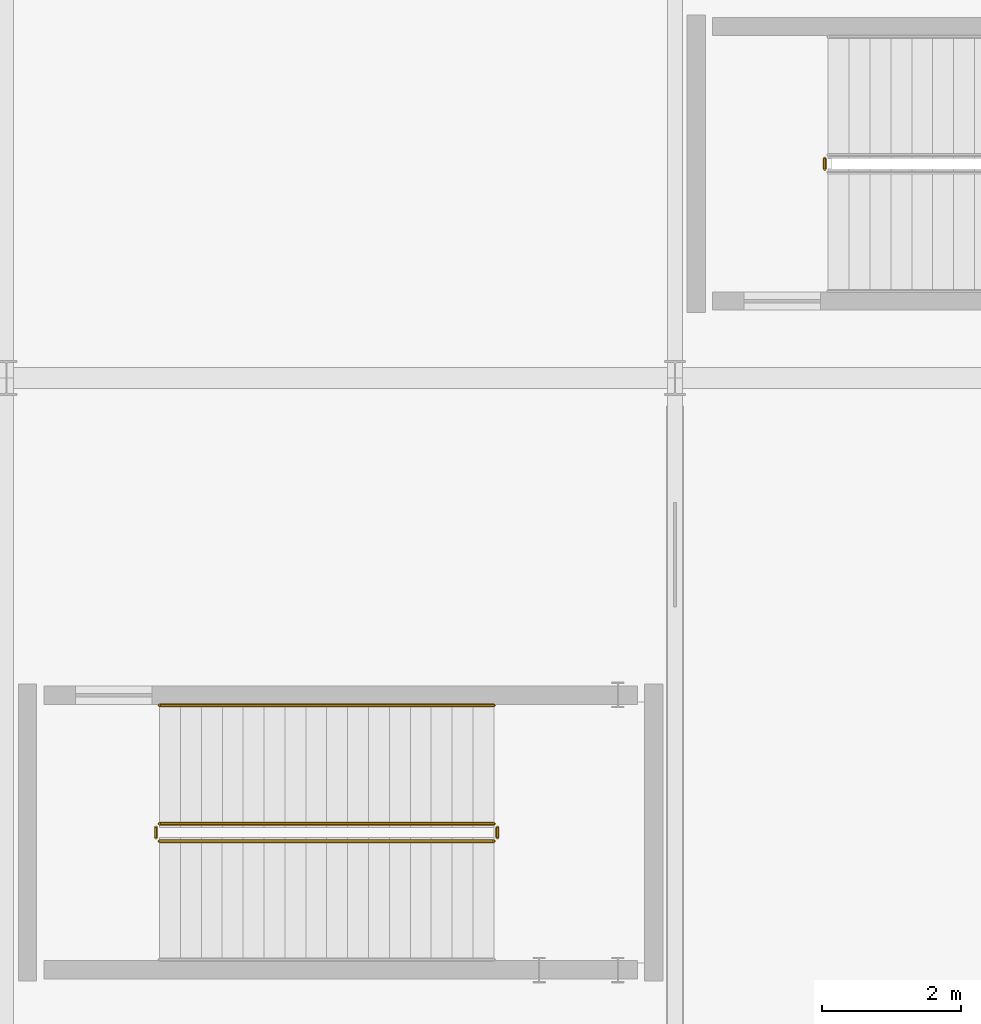
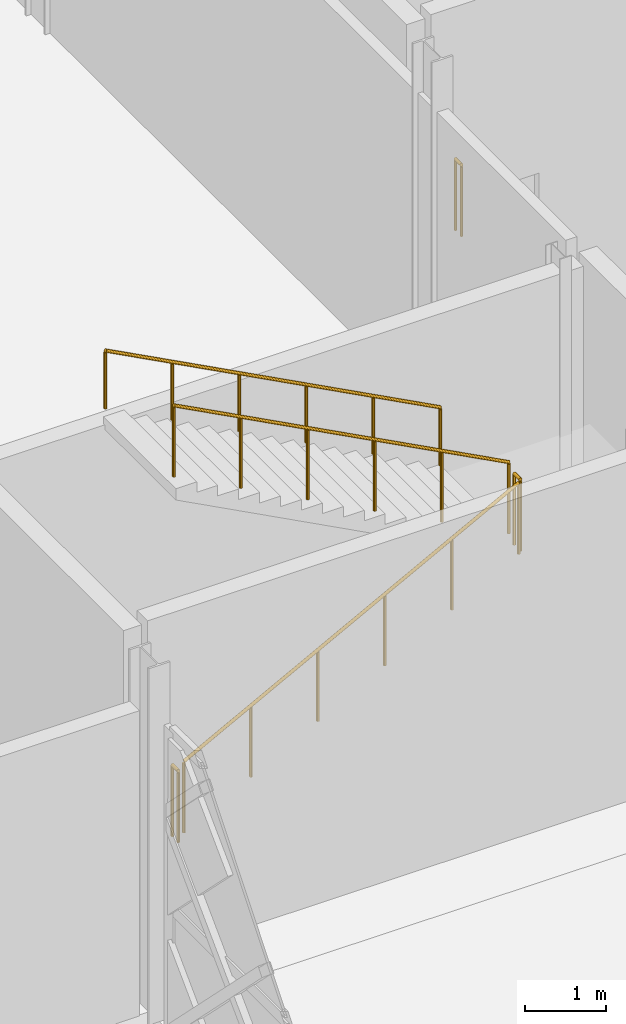
# One storey, part 74 of 84: 6 railings.
"""IFC4 building model written with IfcOpenShell, lengths in metres."""

import ifcopenshell
import ifcopenshell.guid

model = None  # the IFC model being written
_history = None  # IfcOwnerHistory: only IFC2X3 demands one
_inside = {}  # id of a spatial element -> (the spatial element, [elements in it])
_under = {}  # id of a project, library or spatial element -> (it, [spatial elements below it])
_declared = {}  # id of a project -> (the project, [libraries it declares])
_typed = {}  # id of a type object -> (the type object, [elements of that type])
_made_of = {}  # id of a material, layer set ... -> (it, [elements and type objects made of it])


def new_model(schema):
    """Start an empty IFC model of exactly this schema.

    Asked for "IFC4X3", IfcOpenShell would pick the latest addendum, in which some entities
    have other attributes; the version numbers below select the first issue.
    IFC2X3 requires an IfcOwnerHistory on every rooted entity: one is made here for all.
    """
    global model, _history
    if schema == "IFC4X3":
        model = ifcopenshell.file(schema_version=(4, 3, 0, 0))
    else:
        model = ifcopenshell.file(schema=schema)
    _inside.clear()
    _under.clear()
    _declared.clear()
    _typed.clear()
    _made_of.clear()
    _history = None
    if model.schema == "IFC2X3":
        org = make("IfcOrganization", Name="unknown")
        user = make(
            "IfcPersonAndOrganization",
            ThePerson=make("IfcPerson", FamilyName="unknown"),
            TheOrganization=org,
        )
        app = make(
            "IfcApplication",
            ApplicationDeveloper=org,
            Version="unknown",
            ApplicationFullName="unknown",
            ApplicationIdentifier="unknown",
        )
        _history = make(
            "IfcOwnerHistory",
            OwningUser=user,
            OwningApplication=app,
            ChangeAction="ADDED",
            CreationDate=0,
        )
    return model


def make(cls, **values):
    """One entity of the class cls with the attributes given. An attribute that is None is left unset."""
    return model.create_entity(
        cls, **{name: value for name, value in values.items() if value is not None}
    )


def rooted(cls, **values):
    """An entity with a GlobalId (a new one), such as an element, a storey or a relation."""
    return make(cls, GlobalId=ifcopenshell.guid.new(), OwnerHistory=_history, **values)


def si_unit(unit_type, name, prefix=None):
    """IfcSIUnit, for example si_unit("LENGTHUNIT", "METRE", prefix="MILLI")."""
    return make("IfcSIUnit", UnitType=unit_type, Prefix=prefix, Name=name)


def assignment(units):
    """IfcUnitAssignment: the units of a project."""
    return None if units is None else make("IfcUnitAssignment", Units=units)


def point(xyz):
    """IfcCartesianPoint."""
    return None if xyz is None else make("IfcCartesianPoint", Coordinates=xyz)


def direction(xyz):
    """IfcDirection."""
    return None if xyz is None else make("IfcDirection", DirectionRatios=xyz)


def frame(location, z_axis=None, x_axis=None):
    """IfcAxis2Placement3D, a coordinate frame: its origin and axes. An axis left out is left unset."""
    return make(
        "IfcAxis2Placement3D",
        Location=point(location),
        Axis=direction(z_axis),
        RefDirection=direction(x_axis),
    )


def frame_2d(location, x_axis=None):
    """IfcAxis2Placement2D, a coordinate frame in the plane: its origin and x axis."""
    return make(
        "IfcAxis2Placement2D", Location=point(location), RefDirection=direction(x_axis)
    )


def origin():
    """The frame at (0, 0, 0) with its axes left unset."""
    return frame((0.0, 0.0, 0.0))


def origin_2d():
    """The frame at (0, 0) in the plane with its x axis left unset."""
    return frame_2d((0.0, 0.0))


def place(relative_to, where):
    """IfcLocalPlacement: puts the frame where relative to a parent placement (None: the world)."""
    return make(
        "IfcLocalPlacement", PlacementRelTo=relative_to, RelativePlacement=where
    )


def context(
    kind, dimensions, precision=None, world=None, true_north=None, identifier=None
):
    """IfcGeometricRepresentationContext, for example the 3D "Model" context."""
    return make(
        "IfcGeometricRepresentationContext",
        ContextIdentifier=identifier,
        ContextType=kind,
        CoordinateSpaceDimension=dimensions,
        Precision=precision,
        WorldCoordinateSystem=world,
        TrueNorth=true_north,
    )


def subcontext(parent, identifier, kind, view, scale=None):
    """IfcGeometricRepresentationSubContext, for example "Body" below "Model"."""
    return make(
        "IfcGeometricRepresentationSubContext",
        ContextIdentifier=identifier,
        ContextType=kind,
        ParentContext=parent,
        TargetScale=scale,
        TargetView=view,
    )


def project(units=None, contexts=None):
    """IfcProject with its units and contexts."""
    return rooted(
        "IfcProject",
        Name="project",
        RepresentationContexts=contexts,
        UnitsInContext=assignment(units),
    )


def spatial(cls, under=None, at=None, **own):
    """A site, building, storey or space (cls), placed at a placement, below another one or the project."""
    s = rooted(cls, ObjectPlacement=at, **own)
    if under is not None:
        _under.setdefault(under.id(), (under, []))[1].append(s)
    return s


def profile(cls, at=None, kind="AREA", **sizes):
    """A parametric profile (cls). Its sizes go by their IFC names, for example OverallWidth=200.0."""
    return make(cls, ProfileType=kind, Position=at, **sizes)


def circle(**sizes):
    """IfcCircleProfileDef."""
    return profile("IfcCircleProfileDef", **sizes)


def extrude(swept, where, along, depth):
    """IfcExtrudedAreaSolid: the profile swept, set in the frame where, extruded along a direction by depth."""
    return make(
        "IfcExtrudedAreaSolid",
        SweptArea=swept,
        Position=where,
        ExtrudedDirection=direction(along),
        Depth=depth,
    )


def shape(context_of_items, identifier, shape_type, items):
    """IfcShapeRepresentation: the items that make up one representation, for example the "Body"."""
    return make(
        "IfcShapeRepresentation",
        ContextOfItems=context_of_items,
        RepresentationIdentifier=identifier,
        RepresentationType=shape_type,
        Items=items,
    )


def material(Name=None, Category=None):
    """IfcMaterial."""
    return make("IfcMaterial", Name=Name, Category=Category)


def made_of(thing, what):
    """Note that an element or type object is made of a material, layer set ...; save() writes the relation."""
    if what is not None:
        _made_of.setdefault(what.id(), (what, []))[1].append(thing)
    return thing


def type_object(cls, material=None, **own):
    """A type object (cls), such as IfcWallType, which elements share."""
    return made_of(rooted(cls, **own), material)


def element(
    cls,
    number,
    at=None,
    inside=None,
    cuts=None,
    type_object=None,
    material=None,
    context=None,
    identifier="Body",
    shape_type=None,
    held_by="IfcProductDefinitionShape",
    body=None,
    shapes=None,
    **own,
):
    """One element of the class cls, such as IfcWall. Its Tag is "e" and its number.

    at: its placement. inside: the storey or other place that contains it. cuts: it is an
    opening in that element (IfcRelVoidsElement). A single representation is given by context,
    identifier, shape_type and body (its items); several are given by shapes. held_by: the class
    of the entity that holds the representations. save() writes the other relations.
    """
    e = rooted(cls, Tag="e%d" % number, ObjectPlacement=at, **own)
    if body is not None:
        shapes = [shape(context, identifier, shape_type, body)]
    if shapes is not None:
        e.Representation = make(held_by, Representations=shapes)
    if inside is not None:
        _inside.setdefault(inside.id(), (inside, []))[1].append(e)
    if cuts is not None:
        rooted(
            "IfcRelVoidsElement", RelatingBuildingElement=cuts, RelatedOpeningElement=e
        )
    if type_object is not None:
        _typed.setdefault(type_object.id(), (type_object, []))[1].append(e)
    return made_of(e, material)


def aggregate(whole, parts):
    """IfcRelAggregates: a whole, such as a stair, and the parts it consists of."""
    return rooted("IfcRelAggregates", RelatingObject=whole, RelatedObjects=parts)


def save(model, path):
    """Write the relations noted so far, then the file.

    IfcRelAggregates (storeys below a building ...), IfcRelContainedInSpatialStructure (elements
    in a storey), IfcRelDefinesByType, IfcRelAssociatesMaterial and IfcRelDeclares: one each for
    every whole, place, type object, material and project.
    """
    for whole, parts in _under.values():
        aggregate(whole, parts)
    for where, things in _inside.values():
        rooted(
            "IfcRelContainedInSpatialStructure",
            RelatedElements=things,
            RelatingStructure=where,
        )
    for kind, things in _typed.values():
        rooted("IfcRelDefinesByType", RelatedObjects=things, RelatingType=kind)
    for what, things in _made_of.values():
        rooted("IfcRelAssociatesMaterial", RelatedObjects=things, RelatingMaterial=what)
    for by, libraries in _declared.values():
        rooted("IfcRelDeclares", RelatingContext=by, RelatedDefinitions=libraries)
    model.write(path)


model = new_model("IFC4")

# Units and contexts
model_context = context("Model", 3, precision=1e-05, world=origin(), true_north=direction((0.0, 1.0)))
body_context = subcontext(model_context, "Body", "Model", "MODEL_VIEW")
ifc_project = project(units=[si_unit("LENGTHUNIT", "METRE"), si_unit("AREAUNIT", "SQUARE_METRE"), si_unit("VOLUMEUNIT", "CUBIC_METRE"), si_unit("PLANEANGLEUNIT", "RADIAN"), si_unit("MASSUNIT", "GRAM", prefix="KILO")], contexts=[model_context])

# Site, building, storey
site_placement = place(None, origin())
site = spatial("IfcSite", under=ifc_project, at=site_placement, CompositionType="ELEMENT")
building_placement = place(site_placement, origin())
building = spatial("IfcBuilding", under=site, at=building_placement, Name="Zevrakil Square Congress Hotel", CompositionType="ELEMENT")
storey_placement = place(building_placement, origin())
storey = spatial("IfcBuildingStorey", under=building, at=storey_placement, Name="L01", CompositionType="ELEMENT", Elevation=0.0)

# Railings
ifc_material_1 = material(Name="Steel S355", Category="steel")
railing_type_1 = type_object("IfcRailingType", Name="RLG-STAIR-GUARD-1100", PredefinedType="BALUSTRADE", material=ifc_material_1)
railing_1_placement = place(storey_placement, frame((57.35009765625, 87.0, 0.0)))
element("IfcRailing", 1, at=railing_1_placement, inside=storey, type_object=railing_type_1, Name="L01 ST05 stair guard 4", PredefinedType="BALUSTRADE", context=body_context, shape_type="SweptSolid", body=[
    extrude(circle(Radius=0.02392578125, at=origin_2d()), frame((0.0, 0.0, 1.076171875), z_axis=(0.0, 1.0, 0.0), x_axis=(-1.0, 0.0, 0.0)), (0.0, 0.0, 1.0), 0.14990234375),
    extrude(circle(Radius=0.02099609375, at=origin_2d()), origin(), (0.0, 0.0, 1.0), 1.052001953125),
    extrude(circle(Radius=0.02099609375, at=origin_2d()), frame((0.0, 0.14990234375, 0.0)), (0.0, 0.0, 1.0), 1.052001953125),
])
railing_2_placement = place(storey_placement, frame((47.800048828125, 77.35009765625, 0.158935546875)))
element("IfcRailing", 2, at=railing_2_placement, inside=storey, type_object=railing_type_1, Name="L01 ST14 stair guard 1", PredefinedType="BALUSTRADE", context=body_context, shape_type="SweptSolid", body=[
    extrude(circle(Radius=0.02392578125, at=origin_2d()), frame((0.0, 0.0, 1.076171875), z_axis=(0.883802130504, 0.0, 0.467860870469), x_axis=(0.0, 1.0, 0.0)), (0.0, 0.0, 1.0), 5.43115234375),
    extrude(circle(Radius=0.02099609375, at=origin_2d()), origin(), (0.0, 0.0, 1.0), 1.052001953125),
    extrude(circle(Radius=0.02099609375, at=origin_2d()), frame((0.9599609375, 0.0, 0.50830078125)), (0.0, 0.0, 1.0), 1.052001953125),
    extrude(circle(Radius=0.02099609375, at=origin_2d()), frame((1.919921875, 0.0, 1.016357421875)), (0.0, 0.0, 1.0), 1.052001953125),
    extrude(circle(Radius=0.02099609375, at=origin_2d()), frame((2.880126953125, 0.0, 1.524658203125)), (0.0, 0.0, 1.0), 1.052001953125),
    extrude(circle(Radius=0.02099609375, at=origin_2d()), frame((3.840087890625, 0.0, 2.03271484375)), (0.0, 0.0, 1.0), 1.052001953125),
    extrude(circle(Radius=0.02099609375, at=origin_2d()), frame((4.800048828125, 0.0, 2.541015625)), (0.0, 0.0, 1.0), 1.052001953125),
])
railing_3_placement = place(storey_placement, frame((52.64990234375, 77.39990234375, 2.699951171875)))
element("IfcRailing", 3, at=railing_3_placement, inside=storey, type_object=railing_type_1, Name="L01 ST14 stair guard 2", PredefinedType="BALUSTRADE", context=body_context, shape_type="SweptSolid", body=[
    extrude(circle(Radius=0.02392578125, at=origin_2d()), frame((0.0, 0.0, 1.076171875), z_axis=(0.0, 1.0, 0.0), x_axis=(-1.0, 0.0, 0.0)), (0.0, 0.0, 1.0), 0.150146484375),
    extrude(circle(Radius=0.02099609375, at=origin_2d()), origin(), (0.0, 0.0, 1.0), 1.052001953125),
    extrude(circle(Radius=0.02099609375, at=origin_2d()), frame((0.0, 0.150146484375, 0.0)), (0.0, 0.0, 1.0), 1.052001953125),
])
railing_4_placement = place(storey_placement, frame((52.60009765625, 77.60009765625, 2.85888671875)))
element("IfcRailing", 4, at=railing_4_placement, inside=storey, type_object=railing_type_1, Name="L01 ST14 stair guard 3", PredefinedType="BALUSTRADE", context=body_context, shape_type="SweptSolid", body=[
    extrude(circle(Radius=0.02392578125, at=origin_2d()), frame((0.0, 0.0, 1.076171875), z_axis=(-0.883802130504, 0.0, 0.467860870469), x_axis=(0.0, -1.0, 0.0)), (0.0, 0.0, 1.0), 5.43115234375),
    extrude(circle(Radius=0.02099609375, at=origin_2d()), origin(), (0.0, 0.0, 1.0), 1.052001953125),
    extrude(circle(Radius=0.02099609375, at=origin_2d()), frame((-0.9599609375, 0.0, 0.50830078125)), (0.0, 0.0, 1.0), 1.052001953125),
    extrude(circle(Radius=0.02099609375, at=origin_2d()), frame((-1.919921875, 0.0, 1.016357421875)), (0.0, 0.0, 1.0), 1.052001953125),
    extrude(circle(Radius=0.02099609375, at=origin_2d()), frame((-2.880126953125, 0.0, 1.524658203125)), (0.0, 0.0, 1.0), 1.052001953125),
    extrude(circle(Radius=0.02099609375, at=origin_2d()), frame((-3.840087890625, 0.0, 2.03271484375)), (0.0, 0.0, 1.0), 1.052001953125),
    extrude(circle(Radius=0.02099609375, at=origin_2d()), frame((-4.800048828125, 0.0, 2.541015625)), (0.0, 0.0, 1.0), 1.052001953125),
])
railing_5_placement = place(storey_placement, frame((47.75, 77.39990234375, 0.0)))
element("IfcRailing", 5, at=railing_5_placement, inside=storey, type_object=railing_type_1, Name="L01 ST14 stair guard 4", PredefinedType="BALUSTRADE", context=body_context, shape_type="SweptSolid", body=[
    extrude(circle(Radius=0.02392578125, at=origin_2d()), frame((0.0, 0.0, 1.076171875), z_axis=(0.0, 1.0, 0.0), x_axis=(-1.0, 0.0, 0.0)), (0.0, 0.0, 1.0), 0.150146484375),
    extrude(circle(Radius=0.02099609375, at=origin_2d()), origin(), (0.0, 0.0, 1.0), 1.052001953125),
    extrude(circle(Radius=0.02099609375, at=origin_2d()), frame((0.0, 0.150146484375, 0.0)), (0.0, 0.0, 1.0), 1.052001953125),
])
ifc_material_2 = material(Name="Steel S355", Category="steel")
railing_type_2 = type_object("IfcRailingType", Name="RLG-STAIR-HAND-900", PredefinedType="HANDRAIL", material=ifc_material_2)
railing_6_placement = place(storey_placement, frame((52.60009765625, 79.300048828125, 2.85888671875)))
element("IfcRailing", 6, at=railing_6_placement, inside=storey, type_object=railing_type_2, Name="L01 ST14 stair handrail 2", PredefinedType="HANDRAIL", context=body_context, shape_type="SweptSolid", body=[
    extrude(circle(Radius=0.02392578125, at=origin_2d()), frame((0.0, 0.0, 0.8759765625), z_axis=(-0.883802130504, 0.0, 0.467860870469), x_axis=(0.0, -1.0, 0.0)), (0.0, 0.0, 1.0), 5.43115234375),
    extrude(circle(Radius=0.02099609375, at=origin_2d()), origin(), (0.0, 0.0, 1.0), 0.851806640625),
    extrude(circle(Radius=0.02099609375, at=origin_2d()), frame((-0.9599609375, 0.0, 0.50830078125)), (0.0, 0.0, 1.0), 0.851806640625),
    extrude(circle(Radius=0.02099609375, at=origin_2d()), frame((-1.919921875, 0.0, 1.016357421875)), (0.0, 0.0, 1.0), 0.851806640625),
    extrude(circle(Radius=0.02099609375, at=origin_2d()), frame((-2.880126953125, 0.0, 1.524658203125)), (0.0, 0.0, 1.0), 0.851806640625),
    extrude(circle(Radius=0.02099609375, at=origin_2d()), frame((-3.840087890625, 0.0, 2.03271484375)), (0.0, 0.0, 1.0), 0.851806640625),
    extrude(circle(Radius=0.02099609375, at=origin_2d()), frame((-4.800048828125, 0.0, 2.541015625)), (0.0, 0.0, 1.0), 0.851806640625),
])

save(model, "model.ifc")
